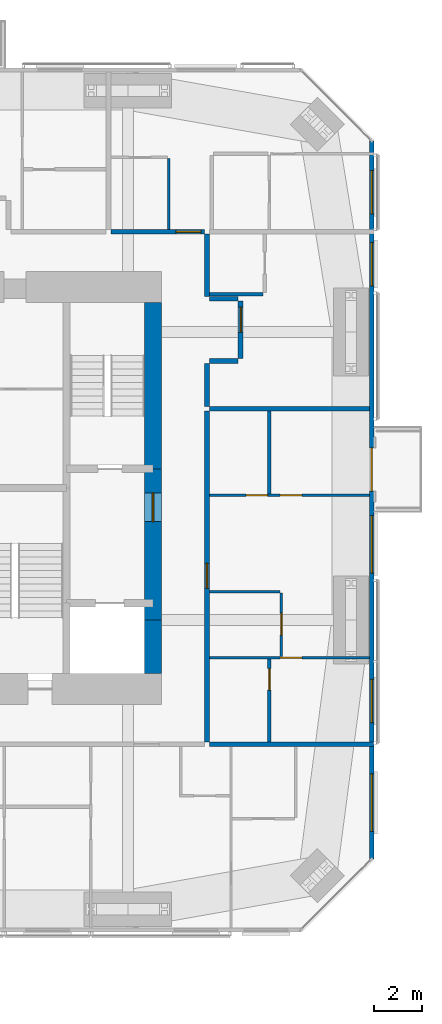
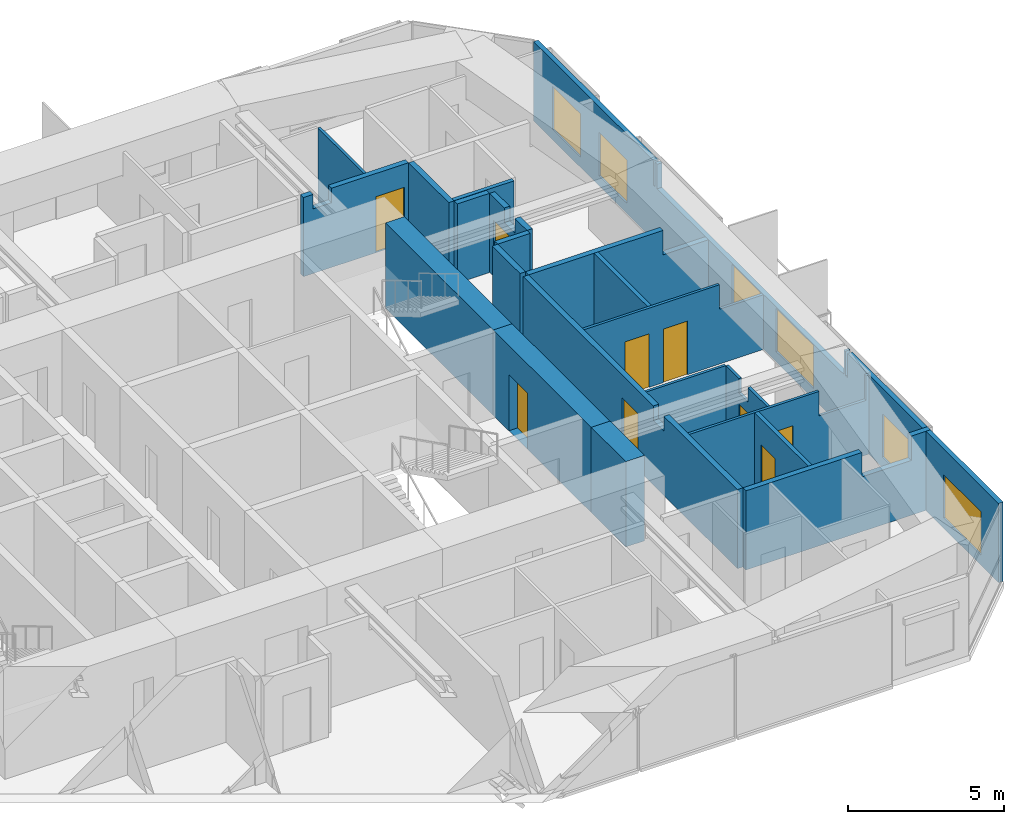
# One storey, part 20 of 23: 21 walls, 10 doors, 5 windows, 15 openings.
"""IFC4 building model written with IfcOpenShell, lengths in metres."""

from ifc_helpers import new_model, si_unit, direction, frame, frame_2d, origin, place, context, subcontext, project, spatial, polyline, rectangle, outline, extrude, material, layer, layer_set, constituent, constituent_set, type_object, element, fill, save


model = new_model("IFC4")

# Units and contexts
model_context = context("Model", 3, precision=1e-05, world=origin(), true_north=direction((0.0, 1.0)))
body_context = subcontext(model_context, "Body", "Model", "MODEL_VIEW")
ifc_project = project(units=[si_unit("LENGTHUNIT", "METRE"), si_unit("AREAUNIT", "SQUARE_METRE"), si_unit("VOLUMEUNIT", "CUBIC_METRE"), si_unit("PLANEANGLEUNIT", "RADIAN"), si_unit("MASSUNIT", "GRAM", prefix="KILO")], contexts=[model_context])

# Site, building, storey
site_placement = place(None, origin())
site = spatial("IfcSite", under=ifc_project, at=site_placement, CompositionType="ELEMENT")
building_placement = place(site_placement, origin())
building = spatial("IfcBuilding", under=site, at=building_placement, Name="Jalousie Tower", CompositionType="ELEMENT")
storey_placement = place(building_placement, frame((0.0, 0.0, 187.85009765625)))
storey = spatial("IfcBuildingStorey", under=building, at=storey_placement, Name="L51", CompositionType="ELEMENT", Elevation=187.85009765625)

# Wall, opening, door
ifc_material_1 = material(Name="Concrete block ASTM C90", Category="concrete")
ifc_constituent_1 = constituent(ifc_material_1, Name="Body")
ifc_material_2 = material(Name="Render")
ifc_constituent_2 = constituent(ifc_material_2, Name="Finish")
ifc_constituent_set_1 = constituent_set(constituents=[ifc_constituent_1, ifc_constituent_2])
wall_type_1 = type_object("IfcWallType", Name="BATHROOM WALL 150", PredefinedType="PLUMBINGWALL", material=ifc_constituent_set_1)
wall_1_placement = place(storey_placement, frame((48.64990234375, 7.925048828125, 0.0), z_axis=(0.0, 0.0, 1.0), x_axis=(0.0, 1.0, 0.0)))
wall_1 = element("IfcWall", 1, at=wall_1_placement, inside=storey, type_object=wall_type_1, Name="Bathroom Wall 150 L51", PredefinedType="PLUMBINGWALL", context=body_context, shape_type="SweptSolid", body=[
    extrude(rectangle(XDim=3.449951171875, YDim=0.14990234375, at=frame_2d((1.72509765625, 0.0))), origin(), (0.0, 0.0, 1.0), 3.10986328125),
])
opening_1_placement = place(wall_1_placement, frame((2.14990234375, 0.0, 0.0)))
opening_1 = element("IfcOpeningElement", 2, at=opening_1_placement, cuts=wall_1, Name="Opening D3", PredefinedType="OPENING", context=body_context, shape_type="SweptSolid", body=[
    extrude(rectangle(XDim=0.89990234375, YDim=2.10009765625, at=frame_2d((0.449951171875, 1.050048828125))), frame((0.0, 0.0849609375, 0.0), z_axis=(0.0, -1.0, 0.0), x_axis=(1.0, 0.0, 0.0)), (0.0, 0.0, 1.0), 0.169921875),
])
ifc_material_3 = material(Name="Timber door", Category="wood")
door_type_1 = type_object("IfcDoorType", Name="BATHROOM DOOR 900", OperationType="SINGLE_SWING_LEFT", PredefinedType="DOOR", material=ifc_material_3)
door_1_placement = place(opening_1_placement, origin())
door_1 = element("IfcDoor", 3, at=door_1_placement, inside=storey, type_object=door_type_1, Name="Apartment 5109 bedroom 1 bathroom door", OperationType="SINGLE_SWING_RIGHT", OverallHeight=2.10009765625, OverallWidth=0.89990234375, PredefinedType="DOOR", context=body_context, shape_type="SweptSolid", body=[
    extrude(rectangle(XDim=0.89990234375, YDim=2.10009765625, at=frame_2d((0.449951171875, 1.050048828125))), frame((0.0, 0.02490234375, 0.0), z_axis=(0.0, -1.0, 0.0), x_axis=(1.0, 0.0, 0.0)), (0.0, 0.0, 1.0), 0.050048828125),
])
fill(opening_1, door_1)

# Walls
wall_2_placement = place(storey_placement, frame((48.64990234375, 18.25, 0.0), z_axis=(0.0, 0.0, 1.0), x_axis=(0.0, 1.0, 0.0)))
element("IfcWall", 4, at=wall_2_placement, inside=storey, type_object=wall_type_1, Name="Bathroom Wall 150 L51", PredefinedType="PLUMBINGWALL", context=body_context, shape_type="SweptSolid", body=[
    extrude(rectangle(XDim=3.449951171875, YDim=0.14990234375, at=frame_2d((1.72509765625, 0.0))), origin(), (0.0, 0.0, 1.0), 3.10986328125),
])
wall_3_placement = place(storey_placement, frame((48.375, 26.574951171875, 0.0), z_axis=(0.0, 0.0, 1.0), x_axis=(-1.0, 0.0, 0.0)))
element("IfcWall", 5, at=wall_3_placement, inside=storey, type_object=wall_type_1, Name="Bathroom Wall 150 L51", PredefinedType="PLUMBINGWALL", context=body_context, shape_type="SweptSolid", body=[
    extrude(rectangle(XDim=2.22509765625, YDim=0.14990234375, at=frame_2d((1.112548828125, 0.0))), origin(), (0.0, 0.0, 1.0), 3.10986328125),
])
ifc_material_4 = material(Name="Concrete f'c 120 MPa", Category="concrete")
ifc_layer = layer(ifc_material_4, 0.699951171875)
ifc_layer_set = layer_set([ifc_layer], Name="Concrete f'c 120 MPa")
wall_type_2 = type_object("IfcWallType", Name="CORE WALL 700", PredefinedType="SHEAR", material=ifc_layer_set)
wall_4_placement = place(storey_placement, frame((43.800048828125, 10.77490234375, 0.0), z_axis=(0.0, 0.0, 1.0), x_axis=(0.0, 1.0, 0.0)))
element("IfcWall", 6, at=wall_4_placement, inside=storey, type_object=wall_type_2, Name="Core wall EA L51", PredefinedType="SHEAR", context=body_context, shape_type="SweptSolid", body=[
    extrude(rectangle(XDim=2.22509765625, YDim=0.699951171875, at=frame_2d((1.112548828125, 0.0))), origin(), (0.0, 0.0, 1.0), 3.349853515625),
])

# Wall, opening, door
wall_5_placement = place(storey_placement, frame((43.800048828125, 13.0, 0.0), z_axis=(0.0, 0.0, 1.0), x_axis=(0.0, 1.0, 0.0)))
wall_5 = element("IfcWall", 7, at=wall_5_placement, inside=storey, type_object=wall_type_2, Name="Core wall EB L51", PredefinedType="SHEAR", context=body_context, shape_type="SweptSolid", body=[
    extrude(rectangle(XDim=6.300048828125, YDim=0.699951171875, at=frame_2d((3.14990234375, 0.0))), origin(), (0.0, 0.0, 1.0), 3.349853515625),
])
opening_2_placement = place(wall_5_placement, frame((4.10009765625, 0.0, 0.0)))
opening_2 = element("IfcOpeningElement", 8, at=opening_2_placement, cuts=wall_5, Name="Opening D11", PredefinedType="OPENING", context=body_context, shape_type="SweptSolid", body=[
    extrude(rectangle(XDim=1.199951171875, YDim=2.199951171875, at=frame_2d((0.60009765625, 1.10009765625))), frame((0.0, 0.35986328125, 0.0), z_axis=(0.0, -1.0, 0.0), x_axis=(1.0, 0.0, 0.0)), (0.0, 0.0, 1.0), 0.719970703125),
])
ifc_material_5 = material(Name="Steel fire door", Category="steel")
door_type_2 = type_object("IfcDoorType", Name="FIRE DOOR 1200", OperationType="SINGLE_SWING_LEFT", PredefinedType="DOOR", material=ifc_material_5)
door_2_placement = place(opening_2_placement, origin())
door_2 = element("IfcDoor", 9, at=door_2_placement, inside=storey, type_object=door_type_2, Name="Fire-fighting lobby B door", OperationType="SINGLE_SWING_RIGHT", OverallHeight=2.199951171875, OverallWidth=1.199951171875, PredefinedType="DOOR", context=body_context, shape_type="SweptSolid", body=[
    extrude(rectangle(XDim=1.199951171875, YDim=2.199951171875, at=frame_2d((0.60009765625, 1.10009765625))), frame((0.0, 0.02490234375, 0.0), z_axis=(0.0, -1.0, 0.0), x_axis=(1.0, 0.0, 0.0)), (0.0, 0.0, 1.0), 0.050048828125),
])
fill(opening_2, door_2)

# Wall
wall_6_placement = place(storey_placement, frame((43.800048828125, 19.300048828125, 0.0), z_axis=(0.0, 0.0, 1.0), x_axis=(0.0, 1.0, 0.0)))
element("IfcWall", 10, at=wall_6_placement, inside=storey, type_object=wall_type_2, Name="Core wall EC L51", PredefinedType="SHEAR", context=body_context, shape_type="SweptSolid", body=[
    extrude(rectangle(XDim=6.925048828125, YDim=0.699951171875, at=frame_2d((3.46240234375, 0.0))), origin(), (0.0, 0.0, 1.0), 3.349853515625),
])

# Wall, opening, door
ifc_material_6 = material(Name="Concrete block ASTM C90", Category="concrete")
ifc_constituent_3 = constituent(ifc_material_6, Name="Body")
ifc_material_7 = material(Name="Render")
ifc_constituent_4 = constituent(ifc_material_7, Name="Finish")
ifc_constituent_set_2 = constituent_set(constituents=[ifc_constituent_3, ifc_constituent_4])
wall_type_3 = type_object("IfcWallType", Name="CORRIDOR WALL 200", PredefinedType="PARTITIONING", material=ifc_constituent_set_2)
wall_7_placement = place(storey_placement, frame((42.050048828125, 29.175048828125, 0.0), z_axis=(0.0, 0.0, 1.0), x_axis=(1.0, 0.0, 0.0)))
wall_7 = element("IfcWall", 11, at=wall_7_placement, inside=storey, type_object=wall_type_3, Name="Corridor Wall 200 L51", PredefinedType="PARTITIONING", context=body_context, shape_type="SweptSolid", body=[
    extrude(outline(polyline([(0.0, 0.0), (3.89990234375, 0.0), (3.89990234375, 3.10986328125), (1.037353515625, 3.10986328125), (1.037353515625, 2.541015625), (0.362548828125, 2.541015625), (0.362548828125, 3.10986328125), (0.0, 3.10986328125), (0.0, 0.0)])), frame((0.0, 0.10009765625, 0.0), z_axis=(0.0, -1.0, 0.0), x_axis=(1.0, 0.0, 0.0)), (0.0, 0.0, 1.0), 0.199951171875),
])
opening_3_placement = place(wall_7_placement, frame((2.699951171875, 0.0, 0.0)))
opening_3 = element("IfcOpeningElement", 12, at=opening_3_placement, cuts=wall_7, Name="Opening D1", PredefinedType="OPENING", context=body_context, shape_type="SweptSolid", body=[
    extrude(rectangle(XDim=1.050048828125, YDim=2.199951171875, at=frame_2d((0.52490234375, 1.10009765625))), frame((0.0, 0.10986328125, 0.0), z_axis=(0.0, -1.0, 0.0), x_axis=(1.0, 0.0, 0.0)), (0.0, 0.0, 1.0), 0.219970703125),
])
ifc_material_8 = material(Name="Timber fire door", Category="wood")
door_type_3 = type_object("IfcDoorType", Name="APARTMENT ENTRANCE DOOR 1050", OperationType="SINGLE_SWING_LEFT", PredefinedType="DOOR", material=ifc_material_8)
door_3_placement = place(opening_3_placement, origin())
door_3 = element("IfcDoor", 13, at=door_3_placement, inside=storey, type_object=door_type_3, Name="Apartment 5107 entrance", OperationType="SINGLE_SWING_LEFT", OverallHeight=2.199951171875, OverallWidth=1.050048828125, PredefinedType="DOOR", context=body_context, shape_type="SweptSolid", body=[
    extrude(rectangle(XDim=1.050048828125, YDim=2.199951171875, at=frame_2d((0.52490234375, 1.10009765625))), frame((0.0, 0.02490234375, 0.0), z_axis=(0.0, -1.0, 0.0), x_axis=(1.0, 0.0, 0.0)), (0.0, 0.0, 1.0), 0.050048828125),
])
fill(opening_3, door_3)

wall_8_placement = place(storey_placement, frame((46.050048828125, 7.925048828125, 0.0), z_axis=(0.0, 0.0, 1.0), x_axis=(0.0, 1.0, 0.0)))
wall_8 = element("IfcWall", 14, at=wall_8_placement, inside=storey, type_object=wall_type_3, Name="Corridor Wall 200 L51", PredefinedType="PARTITIONING", context=body_context, shape_type="SweptSolid", body=[
    extrude(outline(polyline([(0.0, 0.0), (13.77490234375, 0.0), (13.77490234375, 3.10986328125), (5.412353515625, 3.10986328125), (5.412353515625, 2.541015625), (4.73779296875, 2.541015625), (4.73779296875, 3.10986328125), (0.0, 3.10986328125), (0.0, 0.0)])), frame((0.0, 0.10009765625, 0.0), z_axis=(0.0, -1.0, 0.0), x_axis=(1.0, 0.0, 0.0)), (0.0, 0.0, 1.0), 0.199951171875),
])
opening_4_placement = place(wall_8_placement, frame((6.387451171875, 0.0, 0.0)))
opening_4 = element("IfcOpeningElement", 15, at=opening_4_placement, cuts=wall_8, Name="Opening D1", PredefinedType="OPENING", context=body_context, shape_type="SweptSolid", body=[
    extrude(rectangle(XDim=1.050048828125, YDim=2.199951171875, at=frame_2d((0.52490234375, 1.10009765625))), frame((0.0, 0.10986328125, 0.0), z_axis=(0.0, -1.0, 0.0), x_axis=(1.0, 0.0, 0.0)), (0.0, 0.0, 1.0), 0.219970703125),
])
door_4_placement = place(opening_4_placement, frame((1.050048828125, 0.0, 0.0), z_axis=(0.0, 0.0, 1.0), x_axis=(-1.0, 0.0, 0.0)))
door_4 = element("IfcDoor", 16, at=door_4_placement, inside=storey, type_object=door_type_3, Name="Apartment 5109 entrance", OperationType="SINGLE_SWING_RIGHT", OverallHeight=2.199951171875, OverallWidth=1.050048828125, PredefinedType="DOOR", context=body_context, shape_type="SweptSolid", body=[
    extrude(rectangle(XDim=1.050048828125, YDim=2.199951171875, at=frame_2d((0.52490234375, 1.10009765625))), frame((0.0, 0.02490234375, 0.0), z_axis=(0.0, -1.0, 0.0), x_axis=(1.0, 0.0, 0.0)), (0.0, 0.0, 1.0), 0.050048828125),
])
fill(opening_4, door_4)

# Walls
wall_9_placement = place(storey_placement, frame((46.050048828125, 21.89990234375, 0.0), z_axis=(0.0, 0.0, 1.0), x_axis=(0.0, 1.0, 0.0)))
element("IfcWall", 17, at=wall_9_placement, inside=storey, type_object=wall_type_3, Name="Corridor Wall 200 L51", PredefinedType="PARTITIONING", context=body_context, shape_type="SweptSolid", body=[
    extrude(rectangle(XDim=1.78759765625, YDim=0.199951171875, at=frame_2d((0.893798828125, 0.0))), origin(), (0.0, 0.0, 1.0), 3.10986328125),
])
wall_10_placement = place(storey_placement, frame((46.050048828125, 26.487548828125, 0.0), z_axis=(0.0, 0.0, 1.0), x_axis=(0.0, 1.0, 0.0)))
element("IfcWall", 18, at=wall_10_placement, inside=storey, type_object=wall_type_3, Name="Corridor Wall 200 L51", PredefinedType="PARTITIONING", context=body_context, shape_type="SweptSolid", body=[
    extrude(rectangle(XDim=2.58740234375, YDim=0.199951171875, at=frame_2d((1.293701171875, 0.0))), origin(), (0.0, 0.0, 1.0), 3.10986328125),
])

# Wall, opening, door
wall_11_placement = place(storey_placement, frame((47.449951171875, 23.887451171875, 0.0), z_axis=(0.0, 0.0, 1.0), x_axis=(0.0, 1.0, 0.0)))
wall_11 = element("IfcWall", 19, at=wall_11_placement, inside=storey, type_object=wall_type_3, Name="Corridor Wall 200 L51", PredefinedType="PARTITIONING", context=body_context, shape_type="SweptSolid", body=[
    extrude(outline(polyline([(0.0, 0.0), (2.400146484375, 0.0), (2.39990234375, 3.10986328125), (1.44970703125, 3.10986328125), (1.44970703125, 2.541015625), (0.775146484375, 2.541015625), (0.775146484375, 3.10986328125), (0.0, 3.10986328125), (0.0, 0.0)])), frame((0.0, 0.10009765625, 0.0), z_axis=(0.0, -1.0, 0.0), x_axis=(1.0, 0.0, 0.0)), (0.0, 0.0, 1.0), 0.199951171875),
])
opening_5_placement = place(wall_11_placement, frame((1.10009765625, 0.0, 0.0)))
opening_5 = element("IfcOpeningElement", 20, at=opening_5_placement, cuts=wall_11, Name="Opening D1", PredefinedType="OPENING", context=body_context, shape_type="SweptSolid", body=[
    extrude(rectangle(XDim=1.050048828125, YDim=2.199951171875, at=frame_2d((0.52490234375, 1.10009765625))), frame((0.0, 0.10986328125, 0.0), z_axis=(0.0, -1.0, 0.0), x_axis=(1.0, 0.0, 0.0)), (0.0, 0.0, 1.0), 0.219970703125),
])
door_5_placement = place(opening_5_placement, frame((1.050048828125, 0.0, 0.0), z_axis=(0.0, 0.0, 1.0), x_axis=(-1.0, 0.0, 0.0)))
door_5 = element("IfcDoor", 21, at=door_5_placement, inside=storey, type_object=door_type_3, Name="Apartment 5110 entrance", OperationType="SINGLE_SWING_LEFT", OverallHeight=2.199951171875, OverallWidth=1.050048828125, PredefinedType="DOOR", context=body_context, shape_type="SweptSolid", body=[
    extrude(rectangle(XDim=1.050048828125, YDim=2.199951171875, at=frame_2d((0.52490234375, 1.10009765625))), frame((0.0, 0.02490234375, 0.0), z_axis=(0.0, -1.0, 0.0), x_axis=(1.0, 0.0, 0.0)), (0.0, 0.0, 1.0), 0.050048828125),
])
fill(opening_5, door_5)

# Walls
for number, where, z_axis, x_axis, name in (
    (22, (46.14990234375, 23.78759765625, 0.0), (0.0, 0.0, 1.0), (1.0, 0.0, 0.0), "Corridor Wall 200 L51"),
    (23, (46.14990234375, 26.387451171875, 0.0), (0.0, 0.0, 1.0), (1.0, 0.0, 0.0), "Corridor Wall 200 L51"),
):
    element("IfcWall", number, at=place(storey_placement, frame(where, z_axis=z_axis, x_axis=x_axis)), inside=storey, type_object=wall_type_3, Name=name, PredefinedType="PARTITIONING", context=body_context, shape_type="SweptSolid", body=[
        extrude(rectangle(XDim=1.2001953125, YDim=0.199951171875, at=frame_2d((0.60009765625, 0.0))), origin(), (0.0, 0.0, 1.0), 3.10986328125),
    ])

# Wall, openings, door, windows
ifc_material_9 = material(Name="Concrete f'c 40 MPa", Category="concrete")
ifc_constituent_5 = constituent(ifc_material_9, Name="Body")
ifc_material_10 = material(Name="Render, pastel lemon")
ifc_constituent_6 = constituent(ifc_material_10, Name="Finish")
ifc_constituent_set_3 = constituent_set(constituents=[ifc_constituent_5, ifc_constituent_6])
wall_type_4 = type_object("IfcWallType", Name="EXTERNAL WALL 175 LEMON RENDER", PredefinedType="SOLIDWALL", material=ifc_constituent_set_3)
wall_12_placement = place(storey_placement, frame((52.91259765625, 3.05126953125, 0.0), z_axis=(0.0, 0.0, 1.0), x_axis=(0.0, 1.0, 0.0)))
wall_12 = element("IfcWall", 24, at=wall_12_placement, inside=storey, type_object=wall_type_4, Name="External Wall 175 Lemon Render L51", PredefinedType="SOLIDWALL", context=body_context, shape_type="SweptSolid", body=[
    extrude(outline(polyline([(0.0, 0.0), (29.8974609375, 0.0), (29.8974609375, 3.10986328125), (22.16748046875, 3.10986328125), (22.16748046875, 2.14990234375), (22.073974609375, 2.14990234375), (22.073974609375, 3.10986328125), (21.94873046875, 3.10986328125), (21.94873046875, 2.14990234375), (9.94873046875, 2.14990234375), (9.94873046875, 3.10986328125), (9.846923828125, 3.10986328125), (9.846923828125, 2.14990234375), (9.7060546875, 2.14990234375), (9.7060546875, 3.10986328125), (0.0, 3.10986328125), (0.0, 0.0)])), frame((0.0, 0.08740234375, 0.0), z_axis=(0.0, -1.0, 0.0), x_axis=(1.0, 0.0, 0.0)), (0.0, 0.0, 1.0), 0.175048828125),
])
opening_6_placement = place(wall_12_placement, frame((1.136962890625, 0.0, 0.39990234375)))
opening_6 = element("IfcOpeningElement", 25, at=opening_6_placement, cuts=wall_12, Name="Opening W-LIV170", PredefinedType="OPENING", context=body_context, shape_type="SweptSolid", body=[
    extrude(rectangle(XDim=2.39990234375, YDim=1.699951171875, at=frame_2d((1.199951171875, 0.85009765625))), frame((0.0, 0.097412109375, 0.0), z_axis=(0.0, -1.0, 0.0), x_axis=(1.0, 0.0, 0.0)), (0.0, 0.0, 1.0), 0.195068359375),
])
opening_7_placement = place(wall_12_placement, frame((5.673583984375, 0.0, 0.39990234375)))
opening_7 = element("IfcOpeningElement", 26, at=opening_7_placement, cuts=wall_12, Name="Opening W-BED170", PredefinedType="OPENING", context=body_context, shape_type="SweptSolid", body=[
    extrude(rectangle(XDim=1.800048828125, YDim=1.699951171875, at=frame_2d((0.89990234375, 0.85009765625))), frame((0.0, 0.097412109375, 0.0), z_axis=(0.0, -1.0, 0.0), x_axis=(1.0, 0.0, 0.0)), (0.0, 0.0, 1.0), 0.195068359375),
])
opening_8_placement = place(wall_12_placement, frame((11.90185546875, 0.0, 0.39990234375)))
opening_8 = element("IfcOpeningElement", 27, at=opening_8_placement, cuts=wall_12, Name="Opening W-LIV170", PredefinedType="OPENING", context=body_context, shape_type="SweptSolid", body=[
    extrude(rectangle(XDim=2.39990234375, YDim=1.699951171875, at=frame_2d((1.199951171875, 0.85009765625))), frame((0.0, 0.097412109375, 0.0), z_axis=(0.0, -1.0, 0.0), x_axis=(1.0, 0.0, 0.0)), (0.0, 0.0, 1.0), 0.195068359375),
])
opening_9_placement = place(wall_12_placement, frame((15.32373046875, 0.0, 0.0)))
opening_9 = element("IfcOpeningElement", 28, at=opening_9_placement, cuts=wall_12, Name="Opening D-BAL21", PredefinedType="OPENING", context=body_context, shape_type="SweptSolid", body=[
    extrude(rectangle(XDim=1.800048828125, YDim=2.10009765625, at=frame_2d((0.89990234375, 1.050048828125))), frame((0.0, 0.097412109375, 0.0), z_axis=(0.0, -1.0, 0.0), x_axis=(1.0, 0.0, 0.0)), (0.0, 0.0, 1.0), 0.195068359375),
])
opening_10_placement = place(wall_12_placement, frame((23.873779296875, 0.0, 0.39990234375)))
opening_10 = element("IfcOpeningElement", 29, at=opening_10_placement, cuts=wall_12, Name="Opening W-BED170", PredefinedType="OPENING", context=body_context, shape_type="SweptSolid", body=[
    extrude(rectangle(XDim=1.800048828125, YDim=1.699951171875, at=frame_2d((0.89990234375, 0.85009765625))), frame((0.0, 0.097412109375, 0.0), z_axis=(0.0, -1.0, 0.0), x_axis=(1.0, 0.0, 0.0)), (0.0, 0.0, 1.0), 0.195068359375),
])
opening_11_placement = place(wall_12_placement, frame((26.871337890625, 0.0, 0.39990234375)))
opening_11 = element("IfcOpeningElement", 30, at=opening_11_placement, cuts=wall_12, Name="Opening W-BED170", PredefinedType="OPENING", context=body_context, shape_type="SweptSolid", body=[
    extrude(rectangle(XDim=1.800048828125, YDim=1.699951171875, at=frame_2d((0.89990234375, 0.85009765625))), frame((0.0, 0.097412109375, 0.0), z_axis=(0.0, -1.0, 0.0), x_axis=(1.0, 0.0, 0.0)), (0.0, 0.0, 1.0), 0.195068359375),
])
ifc_material_11 = material(Name="Aluminium frame, impact-rated glazing", Category="aluminium")
door_type_4 = type_object("IfcDoorType", Name="BALCONY DOOR 1800x2100", OperationType="SLIDING_TO_LEFT", PredefinedType="DOOR", material=ifc_material_11)
door_6_placement = place(opening_9_placement, origin())
door_6 = element("IfcDoor", 31, at=door_6_placement, inside=storey, type_object=door_type_4, Name="Apartment 5109 bedroom 2 balcony door", OperationType="SLIDING_TO_LEFT", OverallHeight=2.10009765625, OverallWidth=1.800048828125, PredefinedType="DOOR", context=body_context, shape_type="SweptSolid", body=[
    extrude(rectangle(XDim=1.800048828125, YDim=2.10009765625, at=frame_2d((0.89990234375, 1.050048828125))), frame((0.0, 0.02490234375, 0.0), z_axis=(0.0, -1.0, 0.0), x_axis=(1.0, 0.0, 0.0)), (0.0, 0.0, 1.0), 0.050048828125),
])
fill(opening_9, door_6)
ifc_material_12 = material(Name="Aluminium frame, impact-rated glazing", Category="aluminium")
window_type_1 = type_object("IfcWindowType", Name="WINDOW BED 1800x1700", PartitioningType="SINGLE_PANEL", PredefinedType="WINDOW", material=ifc_material_12)
window_1_placement = place(opening_7_placement, origin())
window_1 = element("IfcWindow", 32, at=window_1_placement, inside=storey, type_object=window_type_1, Name="Apartment 5109 bedroom 1 window", OverallHeight=1.699951171875, OverallWidth=1.800048828125, PartitioningType="SINGLE_PANEL", PredefinedType="WINDOW", context=body_context, shape_type="SweptSolid", body=[
    extrude(rectangle(XDim=1.800048828125, YDim=1.699951171875, at=frame_2d((0.89990234375, 0.85009765625))), frame((0.0, 0.030029296875, 0.0), z_axis=(0.0, -1.0, 0.0), x_axis=(1.0, 0.0, 0.0)), (0.0, 0.0, 1.0), 0.06005859375),
])
fill(opening_7, window_1)
window_2_placement = place(opening_10_placement, origin())
window_2 = element("IfcWindow", 33, at=window_2_placement, inside=storey, type_object=window_type_1, Name="Apartment 5110 studio kitchen, living and sleeping room window", OverallHeight=1.699951171875, OverallWidth=1.800048828125, PartitioningType="SINGLE_PANEL", PredefinedType="WINDOW", context=body_context, shape_type="SweptSolid", body=[
    extrude(rectangle(XDim=1.800048828125, YDim=1.699951171875, at=frame_2d((0.89990234375, 0.85009765625))), frame((0.0, 0.030029296875, 0.0), z_axis=(0.0, -1.0, 0.0), x_axis=(1.0, 0.0, 0.0)), (0.0, 0.0, 1.0), 0.06005859375),
])
fill(opening_10, window_2)
window_3_placement = place(opening_11_placement, origin())
window_3 = element("IfcWindow", 34, at=window_3_placement, inside=storey, type_object=window_type_1, Name="Apartment 5107 bedroom 1 window", OverallHeight=1.699951171875, OverallWidth=1.800048828125, PartitioningType="SINGLE_PANEL", PredefinedType="WINDOW", context=body_context, shape_type="SweptSolid", body=[
    extrude(rectangle(XDim=1.800048828125, YDim=1.699951171875, at=frame_2d((0.89990234375, 0.85009765625))), frame((0.0, 0.030029296875, 0.0), z_axis=(0.0, -1.0, 0.0), x_axis=(1.0, 0.0, 0.0)), (0.0, 0.0, 1.0), 0.06005859375),
])
fill(opening_11, window_3)
ifc_material_13 = material(Name="Aluminium frame, impact-rated glazing", Category="aluminium")
window_type_2 = type_object("IfcWindowType", Name="WINDOW LIV 2400x1700", PartitioningType="DOUBLE_PANEL_VERTICAL", PredefinedType="WINDOW", material=ifc_material_13)
window_4_placement = place(opening_6_placement, origin())
window_4 = element("IfcWindow", 35, at=window_4_placement, inside=storey, type_object=window_type_2, Name="Apartment 5103 living and dining room window", OverallHeight=1.699951171875, OverallWidth=2.39990234375, PartitioningType="SINGLE_PANEL", PredefinedType="WINDOW", context=body_context, shape_type="SweptSolid", body=[
    extrude(rectangle(XDim=2.39990234375, YDim=1.699951171875, at=frame_2d((1.199951171875, 0.85009765625))), frame((0.0, 0.030029296875, 0.0), z_axis=(0.0, -1.0, 0.0), x_axis=(1.0, 0.0, 0.0)), (0.0, 0.0, 1.0), 0.06005859375),
])
fill(opening_6, window_4)
window_5_placement = place(opening_8_placement, origin())
window_5 = element("IfcWindow", 36, at=window_5_placement, inside=storey, type_object=window_type_2, Name="Apartment 5109 living and dining room window", OverallHeight=1.699951171875, OverallWidth=2.39990234375, PartitioningType="SINGLE_PANEL", PredefinedType="WINDOW", context=body_context, shape_type="SweptSolid", body=[
    extrude(rectangle(XDim=2.39990234375, YDim=1.699951171875, at=frame_2d((1.199951171875, 0.85009765625))), frame((0.0, 0.030029296875, 0.0), z_axis=(0.0, -1.0, 0.0), x_axis=(1.0, 0.0, 0.0)), (0.0, 0.0, 1.0), 0.06005859375),
])
fill(opening_8, window_5)

# Wall
ifc_material_14 = material(Name="Gypsum board", Category="gypsum")
ifc_constituent_7 = constituent(ifc_material_14, Name="Body")
ifc_material_15 = material(Name="Light-gauge steel studs ASTM A653 SS Grade 33", Category="steel")
ifc_constituent_8 = constituent(ifc_material_15, Name="Framing")
ifc_constituent_set_4 = constituent_set(constituents=[ifc_constituent_7, ifc_constituent_8])
wall_type_5 = type_object("IfcWallType", Name="PARTITION 100", PredefinedType="PARTITIONING", material=ifc_constituent_set_4)
wall_13_placement = place(storey_placement, frame((44.449951171875, 32.22509765625, 0.0), z_axis=(0.0, 0.0, 1.0), x_axis=(0.0, -1.0, 0.0)))
element("IfcWall", 37, at=wall_13_placement, inside=storey, type_object=wall_type_5, Name="Partition 100 L51", PredefinedType="PARTITIONING", context=body_context, shape_type="SweptSolid", body=[
    extrude(rectangle(XDim=2.9501953125, YDim=0.10009765625, at=frame_2d((1.47509765625, 0.0))), origin(), (0.0, 0.0, 1.0), 3.10986328125),
])

# Wall, opening, door
wall_14_placement = place(storey_placement, frame((52.824951171875, 11.425048828125, 0.0), z_axis=(0.0, 0.0, 1.0), x_axis=(-1.0, 0.0, 0.0)))
wall_14 = element("IfcWall", 38, at=wall_14_placement, inside=storey, type_object=wall_type_5, Name="Partition 100 L51", PredefinedType="PARTITIONING", context=body_context, shape_type="SweptSolid", body=[
    extrude(outline(polyline([(0.0, 0.0), (6.675048828125, 0.0), (6.675048828125, 3.10986328125), (1.84912109375, 3.10986328125), (1.84912109375, 2.14990234375), (0.114501953125, 2.14990234375), (0.114501953125, 3.10986328125), (0.0, 3.10986328125), (0.0, 0.0)])), frame((0.0, 0.050048828125, 0.0), z_axis=(0.0, -1.0, 0.0), x_axis=(1.0, 0.0, 0.0)), (0.0, 0.0, 1.0), 0.10009765625),
])
opening_12_placement = place(wall_14_placement, frame((2.824951171875, 0.0, 0.0)))
opening_12 = element("IfcOpeningElement", 39, at=opening_12_placement, cuts=wall_14, Name="Opening D2", PredefinedType="OPENING", context=body_context, shape_type="SweptSolid", body=[
    extrude(rectangle(XDim=0.89990234375, YDim=2.10009765625, at=frame_2d((0.449951171875, 1.050048828125))), frame((0.0, 0.06005859375, 0.0), z_axis=(0.0, -1.0, 0.0), x_axis=(1.0, 0.0, 0.0)), (0.0, 0.0, 1.0), 0.1201171875),
])
ifc_material_16 = material(Name="Timber door", Category="wood")
door_type_5 = type_object("IfcDoorType", Name="BEDROOM DOOR 900", OperationType="SINGLE_SWING_LEFT", PredefinedType="DOOR", material=ifc_material_16)
door_7_placement = place(opening_12_placement, origin())
door_7 = element("IfcDoor", 40, at=door_7_placement, inside=storey, type_object=door_type_5, Name="Apartment 5109 bedroom 1 door", OperationType="SINGLE_SWING_RIGHT", OverallHeight=2.10009765625, OverallWidth=0.89990234375, PredefinedType="DOOR", context=body_context, shape_type="SweptSolid", body=[
    extrude(rectangle(XDim=0.89990234375, YDim=2.10009765625, at=frame_2d((0.449951171875, 1.050048828125))), frame((0.0, 0.02490234375, 0.0), z_axis=(0.0, -1.0, 0.0), x_axis=(1.0, 0.0, 0.0)), (0.0, 0.0, 1.0), 0.050048828125),
])
fill(opening_12, door_7)

# Wall, openings, doors
wall_15_placement = place(storey_placement, frame((52.824951171875, 18.199951171875, 0.0), z_axis=(0.0, 0.0, 1.0), x_axis=(-1.0, 0.0, 0.0)))
wall_15 = element("IfcWall", 41, at=wall_15_placement, inside=storey, type_object=wall_type_5, Name="Partition 100 L51", PredefinedType="PARTITIONING", context=body_context, shape_type="SweptSolid", body=[
    extrude(outline(polyline([(0.0, 0.0), (6.675048828125, 0.0), (6.675048828125, 3.10986328125), (1.635009765625, 3.10986328125), (1.635009765625, 2.14990234375), (0.0, 2.14990234375), (0.0, 3.10986328125), (0.0, 0.0)])), frame((0.0, 0.050048828125, 0.0), z_axis=(0.0, -1.0, 0.0), x_axis=(1.0, 0.0, 0.0)), (0.0, 0.0, 1.0), 0.10009765625),
])
opening_13_placement = place(wall_15_placement, frame((2.824951171875, 0.0, 0.0)))
opening_13 = element("IfcOpeningElement", 42, at=opening_13_placement, cuts=wall_15, Name="Opening D2", PredefinedType="OPENING", context=body_context, shape_type="SweptSolid", body=[
    extrude(rectangle(XDim=0.89990234375, YDim=2.10009765625, at=frame_2d((0.449951171875, 1.050048828125))), frame((0.0, 0.06005859375, 0.0), z_axis=(0.0, -1.0, 0.0), x_axis=(1.0, 0.0, 0.0)), (0.0, 0.0, 1.0), 0.1201171875),
])
opening_14_placement = place(wall_15_placement, frame((4.25, 0.0, 0.0)))
opening_14 = element("IfcOpeningElement", 43, at=opening_14_placement, cuts=wall_15, Name="Opening D7", PredefinedType="OPENING", context=body_context, shape_type="SweptSolid", body=[
    extrude(rectangle(XDim=0.89990234375, YDim=2.10009765625, at=frame_2d((0.449951171875, 1.050048828125))), frame((0.0, 0.06005859375, 0.0), z_axis=(0.0, -1.0, 0.0), x_axis=(1.0, 0.0, 0.0)), (0.0, 0.0, 1.0), 0.1201171875),
])
door_8_placement = place(opening_13_placement, frame((0.89990234375, 0.0, 0.0), z_axis=(0.0, 0.0, 1.0), x_axis=(-1.0, 0.0, 0.0)))
door_8 = element("IfcDoor", 44, at=door_8_placement, inside=storey, type_object=door_type_5, Name="Apartment 5109 bedroom 2 door", OperationType="SINGLE_SWING_LEFT", OverallHeight=2.10009765625, OverallWidth=0.89990234375, PredefinedType="DOOR", context=body_context, shape_type="SweptSolid", body=[
    extrude(rectangle(XDim=0.89990234375, YDim=2.10009765625, at=frame_2d((0.449951171875, 1.050048828125))), frame((0.0, 0.02490234375, 0.0), z_axis=(0.0, -1.0, 0.0), x_axis=(1.0, 0.0, 0.0)), (0.0, 0.0, 1.0), 0.050048828125),
])
fill(opening_13, door_8)
ifc_material_17 = material(Name="Timber door", Category="wood")
door_type_6 = type_object("IfcDoorType", Name="INTERNAL DOOR 900", OperationType="SINGLE_SWING_LEFT", PredefinedType="DOOR", material=ifc_material_17)
door_9_placement = place(opening_14_placement, frame((0.89990234375, 0.0, 0.0), z_axis=(0.0, 0.0, 1.0), x_axis=(-1.0, 0.0, 0.0)))
door_9 = element("IfcDoor", 45, at=door_9_placement, inside=storey, type_object=door_type_6, Name="Apartment 5109 bathroom door", OperationType="SINGLE_SWING_RIGHT", OverallHeight=2.10009765625, OverallWidth=0.89990234375, PredefinedType="DOOR", context=body_context, shape_type="SweptSolid", body=[
    extrude(rectangle(XDim=0.89990234375, YDim=2.10009765625, at=frame_2d((0.449951171875, 1.050048828125))), frame((0.0, 0.02490234375, 0.0), z_axis=(0.0, -1.0, 0.0), x_axis=(1.0, 0.0, 0.0)), (0.0, 0.0, 1.0), 0.050048828125),
])
fill(opening_14, door_9)

# Wall, opening, door
wall_16_placement = place(storey_placement, frame((49.14990234375, 11.47509765625, 0.0), z_axis=(0.0, 0.0, 1.0), x_axis=(0.0, 1.0, 0.0)))
wall_16 = element("IfcWall", 46, at=wall_16_placement, inside=storey, type_object=wall_type_5, Name="Partition 100 L51", PredefinedType="PARTITIONING", context=body_context, shape_type="SweptSolid", body=[
    extrude(outline(polyline([(0.0, 0.0), (2.64990234375, 0.0), (2.64990234375, 3.10986328125), (1.8125, 3.10986328125), (1.8125, 2.541015625), (1.23779296875, 2.541015625), (1.23779296875, 3.10986328125), (0.0, 3.10986328125), (0.0, 0.0)])), frame((0.0, 0.050048828125, 0.0), z_axis=(0.0, -1.0, 0.0), x_axis=(1.0, 0.0, 0.0)), (0.0, 0.0, 1.0), 0.10009765625),
])
opening_15_placement = place(wall_16_placement, frame((0.89990234375, 0.0, 0.0)))
opening_15 = element("IfcOpeningElement", 47, at=opening_15_placement, cuts=wall_16, Name="Opening D7", PredefinedType="OPENING", context=body_context, shape_type="SweptSolid", body=[
    extrude(rectangle(XDim=0.89990234375, YDim=2.10009765625, at=frame_2d((0.449951171875, 1.050048828125))), frame((0.0, 0.06005859375, 0.0), z_axis=(0.0, -1.0, 0.0), x_axis=(1.0, 0.0, 0.0)), (0.0, 0.0, 1.0), 0.1201171875),
])
door_10_placement = place(opening_15_placement, frame((0.89990234375, 0.0, 0.0), z_axis=(0.0, 0.0, 1.0), x_axis=(-1.0, 0.0, 0.0)))
door_10 = element("IfcDoor", 48, at=door_10_placement, inside=storey, type_object=door_type_6, Name="Apartment 5109 kitchen door", OperationType="SINGLE_SWING_RIGHT", OverallHeight=2.10009765625, OverallWidth=0.89990234375, PredefinedType="DOOR", context=body_context, shape_type="SweptSolid", body=[
    extrude(rectangle(XDim=0.89990234375, YDim=2.10009765625, at=frame_2d((0.449951171875, 1.050048828125))), frame((0.0, 0.02490234375, 0.0), z_axis=(0.0, -1.0, 0.0), x_axis=(1.0, 0.0, 0.0)), (0.0, 0.0, 1.0), 0.050048828125),
])
fill(opening_15, door_10)

# Walls
wall_17_placement = place(storey_placement, frame((49.10009765625, 14.175048828125, 0.0), z_axis=(0.0, 0.0, 1.0), x_axis=(-1.0, 0.0, 0.0)))
element("IfcWall", 49, at=wall_17_placement, inside=storey, type_object=wall_type_5, Name="Partition 100 L51", PredefinedType="PARTITIONING", context=body_context, shape_type="SweptSolid", body=[
    extrude(rectangle(XDim=2.9501953125, YDim=0.10009765625, at=frame_2d((1.47509765625, 0.0))), origin(), (0.0, 0.0, 1.0), 3.10986328125),
])
ifc_material_18 = material(Name="Concrete block ASTM C90", Category="concrete")
ifc_constituent_9 = constituent(ifc_material_18, Name="Body")
ifc_material_19 = material(Name="Render")
ifc_constituent_10 = constituent(ifc_material_19, Name="Finish")
ifc_constituent_set_5 = constituent_set(constituents=[ifc_constituent_9, ifc_constituent_10])
wall_type_6 = type_object("IfcWallType", Name="PARTY WALL 200", PredefinedType="PARTITIONING", material=ifc_constituent_set_5)
wall_18_placement = place(storey_placement, frame((46.14990234375, 7.824951171875, 0.0), z_axis=(0.0, 0.0, 1.0), x_axis=(1.0, 0.0, 0.0)))
element("IfcWall", 50, at=wall_18_placement, inside=storey, type_object=wall_type_6, Name="Party Wall 200 L51", PredefinedType="PARTITIONING", context=body_context, shape_type="SweptSolid", body=[
    extrude(outline(polyline([(0.0, 0.0), (6.85009765625, 0.0), (6.85009765625, 3.10986328125), (6.138427734375, 3.10986328125), (6.138427734375, 2.14990234375), (4.302734375, 2.14990234375), (4.302734375, 3.10986328125), (0.0, 3.10986328125), (0.0, 0.0)])), frame((0.0, 0.10009765625, 0.0), z_axis=(0.0, -1.0, 0.0), x_axis=(1.0, 0.0, 0.0)), (0.0, 0.0, 1.0), 0.199951171875),
])
wall_19_placement = place(storey_placement, frame((52.824951171875, 21.800048828125, 0.0), z_axis=(0.0, 0.0, 1.0), x_axis=(-1.0, 0.0, 0.0)))
element("IfcWall", 51, at=wall_19_placement, inside=storey, type_object=wall_type_6, Name="Party Wall 200 L51", PredefinedType="PARTITIONING", context=body_context, shape_type="SweptSolid", body=[
    extrude(outline(polyline([(0.0, 0.0), (6.675048828125, 0.0), (6.675048828125, 3.10986328125), (1.68505859375, 3.10986328125), (1.68505859375, 2.14990234375), (0.0, 2.14990234375), (0.0, 3.10986328125), (0.0, 0.0)])), frame((0.0, 0.10009765625, 0.0), z_axis=(0.0, -1.0, 0.0), x_axis=(1.0, 0.0, 0.0)), (0.0, 0.0, 1.0), 0.199951171875),
])

save(model, "model.ifc")
